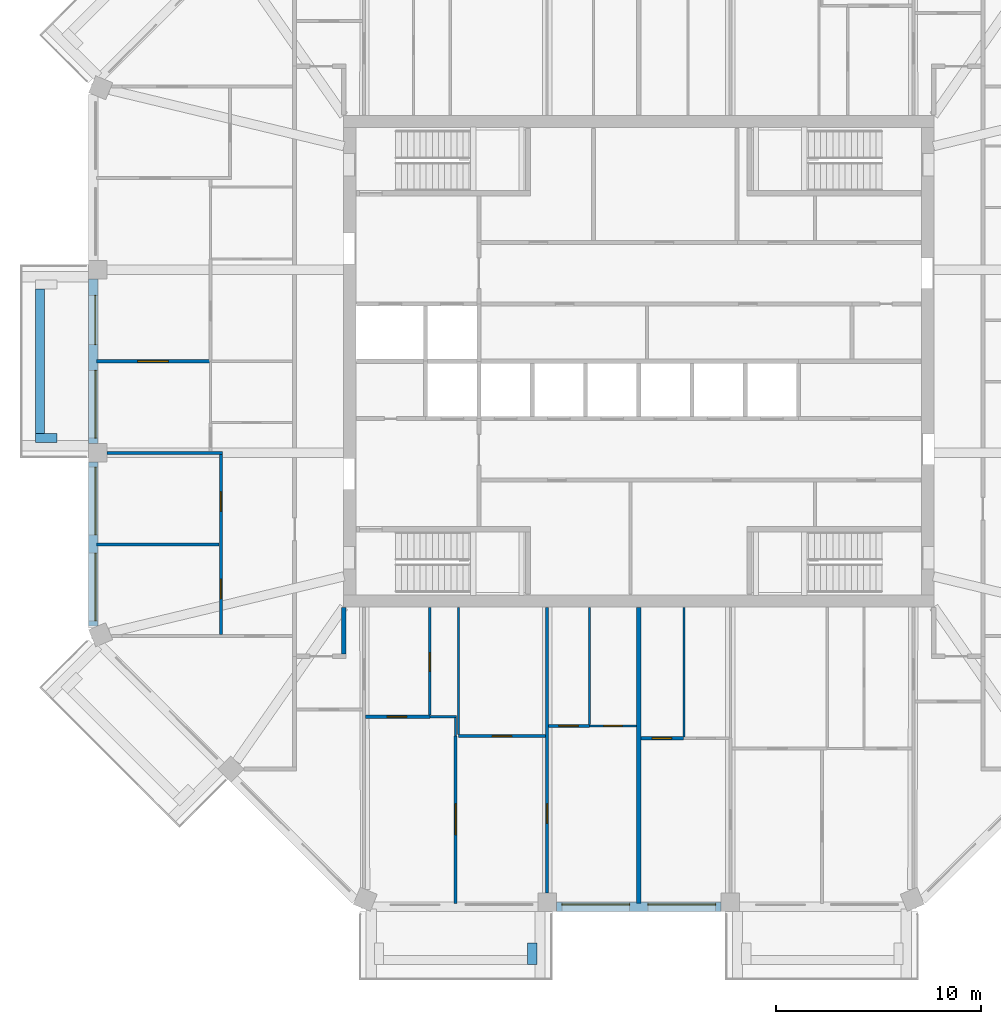
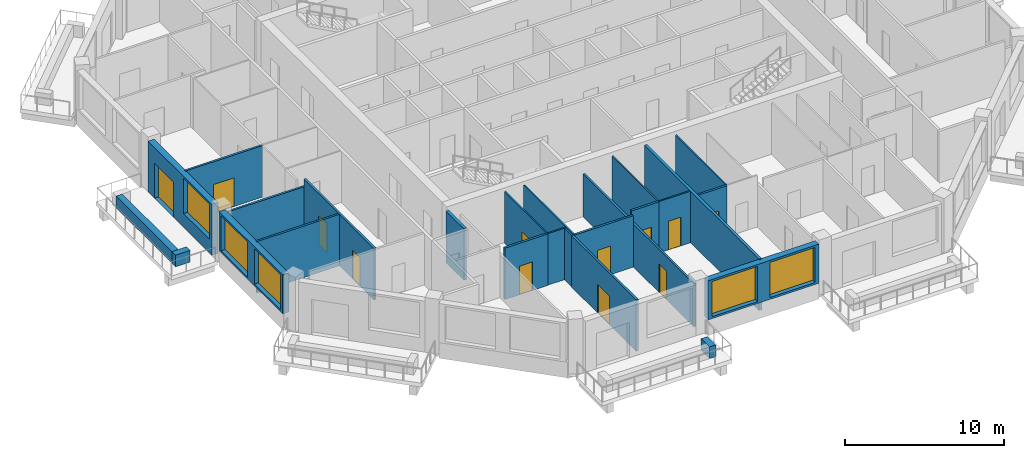
# One storey, part 3 of 13: 25 walls, 12 doors, 5 windows, 17 openings.
"""IFC4 building model written with IfcOpenShell, lengths in metres."""

from ifc_helpers import new_model, si_unit, direction, frame, frame_2d, origin, place, context, subcontext, project, spatial, rectangle, extrude, material, layer, layer_set, type_object, element, fill, save


model = new_model("IFC4")

# Units and contexts
model_context = context("Model", 3, precision=1e-05, world=origin(), true_north=direction((0.0, 1.0)))
body_context = subcontext(model_context, "Body", "Model", "MODEL_VIEW")
ifc_project = project(units=[si_unit("LENGTHUNIT", "METRE"), si_unit("AREAUNIT", "SQUARE_METRE"), si_unit("VOLUMEUNIT", "CUBIC_METRE"), si_unit("PLANEANGLEUNIT", "RADIAN"), si_unit("MASSUNIT", "GRAM", prefix="KILO")], contexts=[model_context])

# Site, building, storey
site_placement = place(None, origin())
site = spatial("IfcSite", under=ifc_project, at=site_placement, CompositionType="ELEMENT")
building_placement = place(site_placement, origin())
building = spatial("IfcBuilding", under=site, at=building_placement, Name="Msitu Wima Residences", CompositionType="ELEMENT")
storey_placement = place(building_placement, frame((0.0, 0.0, 289.5)))
storey = spatial("IfcBuildingStorey", under=building, at=storey_placement, Name="L67", CompositionType="ELEMENT", Elevation=289.5)

# Walls
ifc_material_1 = material(Name="Facing brick")
ifc_layer_1 = layer(ifc_material_1, 0.06494140625, Name="Facing brick")
ifc_material_2 = material(Name="Concrete C40/50", Category="concrete")
ifc_layer_2 = layer(ifc_material_2, 0.156005859375, Name="Concrete C40/50")
ifc_material_3 = material(Name="Waterproofing membrane")
ifc_layer_3 = layer(ifc_material_3, 0.00390625, Name="Waterproofing membrane")
ifc_material_4 = material(Name="Planting soil and planting")
ifc_layer_4 = layer(ifc_material_4, 0.22509765625, Name="Planting soil and planting")
ifc_layer_set_1 = layer_set([ifc_layer_1, ifc_layer_2, ifc_layer_3, ifc_layer_4], Name="Concrete C40/50")
wall_type_1 = type_object("IfcWallType", Name="Balcony planter PLANTER PL450", PredefinedType="USERDEFINED", material=ifc_layer_set_1)
wall_1_placement = place(storey_placement, frame((-29.22509765625, 3.5185546875, 0.0), z_axis=(0.0, 0.0, 1.0), x_axis=(0.0, -1.0, 0.0)))
element("IfcWall", 1, at=wall_1_placement, inside=storey, type_object=wall_type_1, Name="Balcony planter W1 L67", ObjectType="PLANTER", PredefinedType="USERDEFINED", context=body_context, shape_type="SweptSolid", body=[
    extrude(rectangle(XDim=7.037109375, YDim=0.449951171875, at=frame_2d((3.5185546875, 0.0))), origin(), (0.0, 0.0, 1.0), 0.89990234375),
])
for number, where, z_axis, x_axis, name in (
    (2, (-28.39990234375, -3.74365234375, 0.0), (0.0, 0.0, 1.0), (-1.0, 0.0, 0.0), "Balcony planter W1 L67"),
    (3, (-5.193603515625, -28.39990234375, 0.0), (0.0, 0.0, 1.0), (0.0, -1.0, 0.0), "Balcony planter S0 L67"),
):
    element("IfcWall", number, at=place(storey_placement, frame(where, z_axis=z_axis, x_axis=x_axis)), inside=storey, type_object=wall_type_1, Name=name, ObjectType="PLANTER", PredefinedType="USERDEFINED", context=body_context, shape_type="SweptSolid", body=[
        extrude(rectangle(XDim=1.050048828125, YDim=0.449951171875, at=frame_2d((0.52490234375, 0.0))), origin(), (0.0, 0.0, 1.0), 0.89990234375),
    ])

# Wall, openings, door, window
ifc_material_5 = material(Name="Brick (red buff mix)", Category="masonry")
ifc_layer_5 = layer(ifc_material_5, 0.449951171875)
ifc_layer_set_2 = layer_set([ifc_layer_5], Name="Brick (red buff mix)")
wall_type_2 = type_object("IfcWallType", Name="Brick infill wall BW450", PredefinedType="SOLIDWALL", material=ifc_layer_set_2)
wall_2_placement = place(storey_placement, frame((-26.625, 4.0185546875, 0.0), z_axis=(0.0, 0.0, 1.0), x_axis=(0.0, -1.0, 0.0)))
wall_2 = element("IfcWall", 4, at=wall_2_placement, inside=storey, type_object=wall_type_2, Name="Brick infill wall L67 W1", PredefinedType="SOLIDWALL", context=body_context, shape_type="SweptSolid", body=[
    extrude(rectangle(XDim=8.037109375, YDim=0.449951171875, at=frame_2d((4.0185546875, 0.0))), origin(), (0.0, 0.0, 1.0), 3.89990234375),
])
opening_1_placement = place(wall_2_placement, frame((0.809326171875, 0.0, 0.0)))
opening_1 = element("IfcOpeningElement", 5, at=opening_1_placement, cuts=wall_2, Name="Opening D65-67.010", PredefinedType="OPENING", context=body_context, shape_type="SweptSolid", body=[
    extrude(rectangle(XDim=2.39990234375, YDim=2.699951171875, at=frame_2d((1.199951171875, 1.35009765625))), frame((0.0, 0.23486328125, 0.0), z_axis=(0.0, -1.0, 0.0), x_axis=(1.0, 0.0, 0.0)), (0.0, 0.0, 1.0), 0.469970703125),
])
opening_2_placement = place(wall_2_placement, frame((4.46875, 0.0, 1.050048828125)))
opening_2 = element("IfcOpeningElement", 6, at=opening_2_placement, cuts=wall_2, Name="Opening W65-67.028", PredefinedType="OPENING", context=body_context, shape_type="SweptSolid", body=[
    extrude(rectangle(XDim=3.300048828125, YDim=2.699951171875, at=frame_2d((1.64990234375, 1.35009765625))), frame((0.0, 0.23486328125, 0.0), z_axis=(0.0, -1.0, 0.0), x_axis=(1.0, 0.0, 0.0)), (0.0, 0.0, 1.0), 0.469970703125),
])
ifc_material_6 = material(Name="Anodised aluminium, bronze finish, clear low-emissivity double glazing", Category="aluminium")
door_type_1 = type_object("IfcDoorType", Name="Balcony door D2400x2700", OperationType="SLIDING_TO_LEFT", PredefinedType="DOOR", material=ifc_material_6)
door_1_placement = place(opening_1_placement, origin())
door_1 = element("IfcDoor", 7, at=door_1_placement, inside=storey, type_object=door_type_1, Name="Balcony door L67 W1", OperationType="SINGLE_SWING_LEFT", OverallHeight=2.699951171875, OverallWidth=2.39990234375, PredefinedType="DOOR", context=body_context, shape_type="SweptSolid", body=[
    extrude(rectangle(XDim=2.39990234375, YDim=2.699951171875, at=frame_2d((1.199951171875, 1.35009765625))), frame((0.0, 0.1298828125, 0.0), z_axis=(0.0, -1.0, 0.0), x_axis=(1.0, 0.0, 0.0)), (0.0, 0.0, 1.0), 0.050048828125),
])
fill(opening_1, door_1)
window_type = type_object("IfcWindowType", Name="Window W3300x2700", PartitioningType="DOUBLE_PANEL_VERTICAL", PredefinedType="WINDOW", material=ifc_material_6)
window_1_placement = place(opening_2_placement, origin())
window_1 = element("IfcWindow", 8, at=window_1_placement, inside=storey, type_object=window_type, Name="Window L67 W1.2", OverallHeight=2.699951171875, OverallWidth=3.300048828125, PartitioningType="SINGLE_PANEL", PredefinedType="WINDOW", context=body_context, shape_type="SweptSolid", body=[
    extrude(rectangle(XDim=3.300048828125, YDim=2.699951171875, at=frame_2d((1.64990234375, 1.35009765625))), frame((0.0, 0.135009765625, 0.0), z_axis=(0.0, -1.0, 0.0), x_axis=(1.0, 0.0, 0.0)), (0.0, 0.0, 1.0), 0.06005859375),
])
fill(opening_2, window_1)

# Wall, openings, windows
wall_3_placement = place(storey_placement, frame((-26.625, -4.918701171875, 0.89990234375), z_axis=(0.0, 0.0, 1.0), x_axis=(0.0, -1.0, 0.0)))
wall_3 = element("IfcWall", 9, at=wall_3_placement, inside=storey, type_object=wall_type_2, Name="Brick infill wall L67 W2", PredefinedType="SOLIDWALL", context=body_context, shape_type="SweptSolid", body=[
    extrude(rectangle(XDim=8.0, YDim=0.449951171875, at=frame_2d((4.0, 0.0))), origin(), (0.0, 0.0, 1.0), 3.0),
])
opening_3_placement = place(wall_3_placement, frame((0.25, 0.0, 0.14990234375)))
opening_3 = element("IfcOpeningElement", 10, at=opening_3_placement, cuts=wall_3, Name="Opening W65-67.029", PredefinedType="OPENING", context=body_context, shape_type="SweptSolid", body=[
    extrude(rectangle(XDim=3.300048828125, YDim=2.699951171875, at=frame_2d((1.64990234375, 1.35009765625))), frame((0.0, 0.23486328125, 0.0), z_axis=(0.0, -1.0, 0.0), x_axis=(1.0, 0.0, 0.0)), (0.0, 0.0, 1.0), 0.469970703125),
])
opening_4_placement = place(wall_3_placement, frame((4.4501953125, 0.0, 0.14990234375)))
opening_4 = element("IfcOpeningElement", 11, at=opening_4_placement, cuts=wall_3, Name="Opening W65-67.030", PredefinedType="OPENING", context=body_context, shape_type="SweptSolid", body=[
    extrude(rectangle(XDim=3.300048828125, YDim=2.699951171875, at=frame_2d((1.64990234375, 1.35009765625))), frame((0.0, 0.23486328125, 0.0), z_axis=(0.0, -1.0, 0.0), x_axis=(1.0, 0.0, 0.0)), (0.0, 0.0, 1.0), 0.469970703125),
])
window_2_placement = place(opening_3_placement, origin())
window_2 = element("IfcWindow", 12, at=window_2_placement, inside=storey, type_object=window_type, Name="Window L67 W2.1", OverallHeight=2.699951171875, OverallWidth=3.300048828125, PartitioningType="SINGLE_PANEL", PredefinedType="WINDOW", context=body_context, shape_type="SweptSolid", body=[
    extrude(rectangle(XDim=3.300048828125, YDim=2.699951171875, at=frame_2d((1.64990234375, 1.35009765625))), frame((0.0, 0.135009765625, 0.0), z_axis=(0.0, -1.0, 0.0), x_axis=(1.0, 0.0, 0.0)), (0.0, 0.0, 1.0), 0.06005859375),
])
fill(opening_3, window_2)
window_3_placement = place(opening_4_placement, origin())
window_3 = element("IfcWindow", 13, at=window_3_placement, inside=storey, type_object=window_type, Name="Window L67 W2.2", OverallHeight=2.699951171875, OverallWidth=3.300048828125, PartitioningType="SINGLE_PANEL", PredefinedType="WINDOW", context=body_context, shape_type="SweptSolid", body=[
    extrude(rectangle(XDim=3.300048828125, YDim=2.699951171875, at=frame_2d((1.64990234375, 1.35009765625))), frame((0.0, 0.135009765625, 0.0), z_axis=(0.0, -1.0, 0.0), x_axis=(1.0, 0.0, 0.0)), (0.0, 0.0, 1.0), 0.06005859375),
])
fill(opening_4, window_3)

wall_4_placement = place(storey_placement, frame((-4.0185546875, -26.625, 0.89990234375), z_axis=(0.0, 0.0, 1.0), x_axis=(1.0, 0.0, 0.0)))
wall_4 = element("IfcWall", 14, at=wall_4_placement, inside=storey, type_object=wall_type_2, Name="Brick infill wall L67 S1", PredefinedType="SOLIDWALL", context=body_context, shape_type="SweptSolid", body=[
    extrude(rectangle(XDim=8.037109375, YDim=0.449951171875, at=frame_2d((4.0185546875, 0.0))), origin(), (0.0, 0.0, 1.0), 3.0),
])
opening_5_placement = place(wall_4_placement, frame((0.2685546875, 0.0, 0.14990234375)))
opening_5 = element("IfcOpeningElement", 15, at=opening_5_placement, cuts=wall_4, Name="Opening W65-67.017", PredefinedType="OPENING", context=body_context, shape_type="SweptSolid", body=[
    extrude(rectangle(XDim=3.300048828125, YDim=2.699951171875, at=frame_2d((1.64990234375, 1.35009765625))), frame((0.0, 0.23486328125, 0.0), z_axis=(0.0, -1.0, 0.0), x_axis=(1.0, 0.0, 0.0)), (0.0, 0.0, 1.0), 0.469970703125),
])
opening_6_placement = place(wall_4_placement, frame((4.46875, 0.0, 0.14990234375)))
opening_6 = element("IfcOpeningElement", 16, at=opening_6_placement, cuts=wall_4, Name="Opening W65-67.018", PredefinedType="OPENING", context=body_context, shape_type="SweptSolid", body=[
    extrude(rectangle(XDim=3.300048828125, YDim=2.699951171875, at=frame_2d((1.64990234375, 1.35009765625))), frame((0.0, 0.23486328125, 0.0), z_axis=(0.0, -1.0, 0.0), x_axis=(1.0, 0.0, 0.0)), (0.0, 0.0, 1.0), 0.469970703125),
])
window_4_placement = place(opening_5_placement, origin())
window_4 = element("IfcWindow", 17, at=window_4_placement, inside=storey, type_object=window_type, Name="Window L67 S1.1", OverallHeight=2.699951171875, OverallWidth=3.300048828125, PartitioningType="SINGLE_PANEL", PredefinedType="WINDOW", context=body_context, shape_type="SweptSolid", body=[
    extrude(rectangle(XDim=3.300048828125, YDim=2.699951171875, at=frame_2d((1.64990234375, 1.35009765625))), frame((0.0, 0.135009765625, 0.0), z_axis=(0.0, -1.0, 0.0), x_axis=(1.0, 0.0, 0.0)), (0.0, 0.0, 1.0), 0.06005859375),
])
fill(opening_5, window_4)
window_5_placement = place(opening_6_placement, origin())
window_5 = element("IfcWindow", 18, at=window_5_placement, inside=storey, type_object=window_type, Name="Window L67 S1.2", OverallHeight=2.699951171875, OverallWidth=3.300048828125, PartitioningType="SINGLE_PANEL", PredefinedType="WINDOW", context=body_context, shape_type="SweptSolid", body=[
    extrude(rectangle(XDim=3.300048828125, YDim=2.699951171875, at=frame_2d((1.64990234375, 1.35009765625))), frame((0.0, 0.135009765625, 0.0), z_axis=(0.0, -1.0, 0.0), x_axis=(1.0, 0.0, 0.0)), (0.0, 0.0, 1.0), 0.06005859375),
])
fill(opening_6, window_5)

# Walls
ifc_material_7 = material(Name="Plaster")
ifc_layer_6 = layer(ifc_material_7, 0.011962890625, Name="Plaster")
ifc_material_8 = material(Name="Concrete blockwork", Category="masonry")
ifc_layer_7 = layer(ifc_material_8, 0.176025390625, Name="Concrete blockwork")
ifc_layer_8 = layer(ifc_material_7, 0.011962890625, Name="Plaster")
ifc_layer_set_3 = layer_set([ifc_layer_6, ifc_layer_7, ifc_layer_8], Name="Concrete blockwork")
wall_type_3 = type_object("IfcWallType", Name="Corridor wall FW200", PredefinedType="PARTITIONING", material=ifc_layer_set_3)
wall_5_placement = place(storey_placement, frame((-14.39990234375, -14.300048828125, 0.0), z_axis=(0.0, 0.0, 1.0), x_axis=(0.0, 1.0, 0.0)))
element("IfcWall", 19, at=wall_5_placement, inside=storey, type_object=wall_type_3, Name="Corridor wall", PredefinedType="PARTITIONING", context=body_context, shape_type="SweptSolid", body=[
    extrude(rectangle(XDim=2.27001953125, YDim=0.199951171875, at=frame_2d((1.135009765625, 0.0))), origin(), (0.0, 0.0, 1.0), 3.949951171875),
])
ifc_layer_9 = layer(ifc_material_7, 0.011962890625, Name="Plaster")
ifc_layer_10 = layer(ifc_material_8, 0.1259765625, Name="Concrete blockwork")
ifc_layer_11 = layer(ifc_material_7, 0.011962890625, Name="Plaster")
ifc_layer_set_4 = layer_set([ifc_layer_9, ifc_layer_10, ifc_layer_11], Name="Concrete blockwork")
wall_type_4 = type_object("IfcWallType", Name="Partition PW150", PredefinedType="PARTITIONING", material=ifc_layer_set_4)
wall_6_placement = place(storey_placement, frame((-26.455078125, -8.937255859375, 0.0), z_axis=(0.0, 0.0, 1.0), x_axis=(1.0, 0.0, 0.0)))
element("IfcWall", 20, at=wall_6_placement, inside=storey, type_object=wall_type_4, Name="Partition", PredefinedType="PARTITIONING", context=body_context, shape_type="SweptSolid", body=[
    extrude(rectangle(XDim=5.97998046875, YDim=0.14990234375, at=frame_2d((2.989990234375, 0.0))), origin(), (0.0, 0.0, 1.0), 3.949951171875),
])
wall_7_placement = place(storey_placement, frame((-25.949951171875, -4.46875, 0.0), z_axis=(0.0, 0.0, 1.0), x_axis=(1.0, 0.0, 0.0)))
element("IfcWall", 21, at=wall_7_placement, inside=storey, type_object=wall_type_4, Name="Partition", PredefinedType="PARTITIONING", context=body_context, shape_type="SweptSolid", body=[
    extrude(rectangle(XDim=5.625, YDim=0.14990234375, at=frame_2d((2.8125, 0.0))), origin(), (0.0, 0.0, 1.0), 3.35009765625),
])

# Wall, opening, door
wall_8_placement = place(storey_placement, frame((-26.455078125, 0.0, 0.0), z_axis=(0.0, 0.0, 1.0), x_axis=(1.0, 0.0, 0.0)))
wall_8 = element("IfcWall", 22, at=wall_8_placement, inside=storey, type_object=wall_type_4, Name="Partition", PredefinedType="PARTITIONING", context=body_context, shape_type="SweptSolid", body=[
    extrude(rectangle(XDim=5.5751953125, YDim=0.14990234375, at=frame_2d((2.78759765625, 0.0))), origin(), (0.0, 0.0, 1.0), 3.949951171875),
])
opening_7_placement = place(wall_8_placement, frame((2.0, 0.0, 0.0)))
opening_7 = element("IfcOpeningElement", 23, at=opening_7_placement, cuts=wall_8, Name="Opening D65-67.050", PredefinedType="OPENING", context=body_context, shape_type="SweptSolid", body=[
    extrude(rectangle(XDim=1.5, YDim=2.199951171875, at=frame_2d((0.75, 1.10009765625))), frame((0.0, 0.0849609375, 0.0), z_axis=(0.0, -1.0, 0.0), x_axis=(1.0, 0.0, 0.0)), (0.0, 0.0, 1.0), 0.169921875),
])
ifc_material_9 = material(Name="Timber double door", Category="wood")
door_type_2 = type_object("IfcDoorType", Name="Double door D04 1500x2200", OperationType="DOUBLE_DOOR_SINGLE_SWING", PredefinedType="DOOR", material=ifc_material_9)
door_2_placement = place(opening_7_placement, origin())
door_2 = element("IfcDoor", 24, at=door_2_placement, inside=storey, type_object=door_type_2, Name="Double door", OperationType="DOUBLE_DOOR_SINGLE_SWING", OverallHeight=2.199951171875, OverallWidth=1.5, PredefinedType="DOOR", context=body_context, shape_type="SweptSolid", body=[
    extrude(rectangle(XDim=1.5, YDim=2.199951171875, at=frame_2d((0.75, 1.10009765625))), frame((0.0, 0.02490234375, 0.0), z_axis=(0.0, -1.0, 0.0), x_axis=(1.0, 0.0, 0.0)), (0.0, 0.0, 1.0), 0.050048828125),
])
fill(opening_7, door_2)

# Wall, openings, doors
wall_9_placement = place(storey_placement, frame((-20.39990234375, -13.330810546875, 0.0), z_axis=(0.0, 0.0, 1.0), x_axis=(0.0, 1.0, 0.0)))
wall_9 = element("IfcWall", 25, at=wall_9_placement, inside=storey, type_object=wall_type_4, Name="Partition", PredefinedType="PARTITIONING", context=body_context, shape_type="SweptSolid", body=[
    extrude(rectangle(XDim=8.787109375, YDim=0.14990234375, at=frame_2d((4.3935546875, 0.0))), origin(), (0.0, 0.0, 1.0), 3.949951171875),
])
opening_8_placement = place(wall_9_placement, frame((1.75, 0.0, 0.0)))
opening_8 = element("IfcOpeningElement", 26, at=opening_8_placement, cuts=wall_9, Name="Opening D65-67.047", PredefinedType="OPENING", context=body_context, shape_type="SweptSolid", body=[
    extrude(rectangle(XDim=0.949951171875, YDim=2.199951171875, at=frame_2d((0.47509765625, 1.10009765625))), frame((0.0, 0.0849609375, 0.0), z_axis=(0.0, -1.0, 0.0), x_axis=(1.0, 0.0, 0.0)), (0.0, 0.0, 1.0), 0.169921875),
])
opening_9_placement = place(wall_9_placement, frame((6.0, 0.0, 0.0)))
opening_9 = element("IfcOpeningElement", 27, at=opening_9_placement, cuts=wall_9, Name="Opening D65-67.048", PredefinedType="OPENING", context=body_context, shape_type="SweptSolid", body=[
    extrude(rectangle(XDim=0.949951171875, YDim=2.199951171875, at=frame_2d((0.47509765625, 1.10009765625))), frame((0.0, 0.0849609375, 0.0), z_axis=(0.0, -1.0, 0.0), x_axis=(1.0, 0.0, 0.0)), (0.0, 0.0, 1.0), 0.169921875),
])
ifc_material_10 = material(Name="Timber flush door", Category="wood")
door_type_3 = type_object("IfcDoorType", Name="Room door D12 950x2200", OperationType="SINGLE_SWING_LEFT", PredefinedType="DOOR", material=ifc_material_10)
door_3_placement = place(opening_8_placement, origin())
door_3 = element("IfcDoor", 28, at=door_3_placement, inside=storey, type_object=door_type_3, Name="Room door", OperationType="SINGLE_SWING_RIGHT", OverallHeight=2.199951171875, OverallWidth=0.949951171875, PredefinedType="DOOR", context=body_context, shape_type="SweptSolid", body=[
    extrude(rectangle(XDim=0.949951171875, YDim=2.199951171875, at=frame_2d((0.47509765625, 1.10009765625))), frame((0.0, 0.02490234375, 0.0), z_axis=(0.0, -1.0, 0.0), x_axis=(1.0, 0.0, 0.0)), (0.0, 0.0, 1.0), 0.050048828125),
])
fill(opening_8, door_3)
door_4_placement = place(opening_9_placement, origin())
door_4 = element("IfcDoor", 29, at=door_4_placement, inside=storey, type_object=door_type_3, Name="Room door", OperationType="SINGLE_SWING_LEFT", OverallHeight=2.199951171875, OverallWidth=0.949951171875, PredefinedType="DOOR", context=body_context, shape_type="SweptSolid", body=[
    extrude(rectangle(XDim=0.949951171875, YDim=2.199951171875, at=frame_2d((0.47509765625, 1.10009765625))), frame((0.0, 0.02490234375, 0.0), z_axis=(0.0, -1.0, 0.0), x_axis=(1.0, 0.0, 0.0)), (0.0, 0.0, 1.0), 0.050048828125),
])
fill(opening_9, door_4)

# Wall, opening, door
wall_10_placement = place(storey_placement, frame((-13.330810546875, -17.35009765625, 0.0), z_axis=(0.0, 0.0, 1.0), x_axis=(1.0, 0.0, 0.0)))
wall_10 = element("IfcWall", 30, at=wall_10_placement, inside=storey, type_object=wall_type_4, Name="Partition", PredefinedType="PARTITIONING", context=body_context, shape_type="SweptSolid", body=[
    extrude(rectangle(XDim=3.130859375, YDim=0.14990234375, at=frame_2d((1.5654296875, 0.0))), origin(), (0.0, 0.0, 1.0), 3.949951171875),
])
opening_10_placement = place(wall_10_placement, frame((1.050048828125, 0.0, 0.0)))
opening_10 = element("IfcOpeningElement", 31, at=opening_10_placement, cuts=wall_10, Name="Opening D65-67.056", PredefinedType="OPENING", context=body_context, shape_type="SweptSolid", body=[
    extrude(rectangle(XDim=0.949951171875, YDim=2.199951171875, at=frame_2d((0.47509765625, 1.10009765625))), frame((0.0, 0.0849609375, 0.0), z_axis=(0.0, -1.0, 0.0), x_axis=(1.0, 0.0, 0.0)), (0.0, 0.0, 1.0), 0.169921875),
])
door_5_placement = place(opening_10_placement, origin())
door_5 = element("IfcDoor", 32, at=door_5_placement, inside=storey, type_object=door_type_3, Name="Room door", OperationType="SINGLE_SWING_RIGHT", OverallHeight=2.199951171875, OverallWidth=0.949951171875, PredefinedType="DOOR", context=body_context, shape_type="SweptSolid", body=[
    extrude(rectangle(XDim=0.949951171875, YDim=2.199951171875, at=frame_2d((0.47509765625, 1.10009765625))), frame((0.0, 0.02490234375, 0.0), z_axis=(0.0, -1.0, 0.0), x_axis=(1.0, 0.0, 0.0)), (0.0, 0.0, 1.0), 0.050048828125),
])
fill(opening_10, door_5)

wall_11_placement = place(storey_placement, frame((-8.937255859375, -26.455078125, 0.0), z_axis=(0.0, 0.0, 1.0), x_axis=(0.0, 1.0, 0.0)))
wall_11 = element("IfcWall", 33, at=wall_11_placement, inside=storey, type_object=wall_type_4, Name="Partition", PredefinedType="PARTITIONING", context=body_context, shape_type="SweptSolid", body=[
    extrude(rectangle(XDim=8.155029296875, YDim=0.14990234375, at=frame_2d((4.07763671875, 0.0))), origin(), (0.0, 0.0, 1.0), 3.949951171875),
])
opening_11_placement = place(wall_11_placement, frame((3.35009765625, 0.0, 0.0)))
opening_11 = element("IfcOpeningElement", 34, at=opening_11_placement, cuts=wall_11, Name="Opening D65-67.059", PredefinedType="OPENING", context=body_context, shape_type="SweptSolid", body=[
    extrude(rectangle(XDim=1.5, YDim=2.199951171875, at=frame_2d((0.75, 1.10009765625))), frame((0.0, 0.0849609375, 0.0), z_axis=(0.0, -1.0, 0.0), x_axis=(1.0, 0.0, 0.0)), (0.0, 0.0, 1.0), 0.169921875),
])
door_6_placement = place(opening_11_placement, origin())
door_6 = element("IfcDoor", 35, at=door_6_placement, inside=storey, type_object=door_type_2, Name="Double door", OperationType="DOUBLE_DOOR_SINGLE_SWING", OverallHeight=2.199951171875, OverallWidth=1.5, PredefinedType="DOOR", context=body_context, shape_type="SweptSolid", body=[
    extrude(rectangle(XDim=1.5, YDim=2.199951171875, at=frame_2d((0.75, 1.10009765625))), frame((0.0, 0.02490234375, 0.0), z_axis=(0.0, -1.0, 0.0), x_axis=(1.0, 0.0, 0.0)), (0.0, 0.0, 1.0), 0.050048828125),
])
fill(opening_11, door_6)

wall_12_placement = place(storey_placement, frame((-8.800048828125, -18.300048828125, 0.0), z_axis=(0.0, 0.0, 1.0), x_axis=(1.0, 0.0, 0.0)))
wall_12 = element("IfcWall", 36, at=wall_12_placement, inside=storey, type_object=wall_type_4, Name="Partition", PredefinedType="PARTITIONING", context=body_context, shape_type="SweptSolid", body=[
    extrude(rectangle(XDim=4.25634765625, YDim=0.14990234375, at=frame_2d((2.128173828125, 0.0))), origin(), (0.0, 0.0, 1.0), 3.949951171875),
])
opening_12_placement = place(wall_12_placement, frame((1.64990234375, 0.0, 0.0)))
opening_12 = element("IfcOpeningElement", 37, at=opening_12_placement, cuts=wall_12, Name="Opening D65-67.060", PredefinedType="OPENING", context=body_context, shape_type="SweptSolid", body=[
    extrude(rectangle(XDim=0.949951171875, YDim=2.199951171875, at=frame_2d((0.47509765625, 1.10009765625))), frame((0.0, 0.0849609375, 0.0), z_axis=(0.0, -1.0, 0.0), x_axis=(1.0, 0.0, 0.0)), (0.0, 0.0, 1.0), 0.169921875),
])
door_7_placement = place(opening_12_placement, origin())
door_7 = element("IfcDoor", 38, at=door_7_placement, inside=storey, type_object=door_type_3, Name="Room door", OperationType="SINGLE_SWING_LEFT", OverallHeight=2.199951171875, OverallWidth=0.949951171875, PredefinedType="DOOR", context=body_context, shape_type="SweptSolid", body=[
    extrude(rectangle(XDim=0.949951171875, YDim=2.199951171875, at=frame_2d((0.47509765625, 1.10009765625))), frame((0.0, 0.02490234375, 0.0), z_axis=(0.0, -1.0, 0.0), x_axis=(1.0, 0.0, 0.0)), (0.0, 0.0, 1.0), 0.050048828125),
])
fill(opening_12, door_7)

wall_13_placement = place(storey_placement, frame((-4.46875, -25.949951171875, 0.0), z_axis=(0.0, 0.0, 1.0), x_axis=(0.0, 1.0, 0.0)))
wall_13 = element("IfcWall", 39, at=wall_13_placement, inside=storey, type_object=wall_type_4, Name="Partition", PredefinedType="PARTITIONING", context=body_context, shape_type="SweptSolid", body=[
    extrude(rectangle(XDim=13.919921875, YDim=0.14990234375, at=frame_2d((6.9599609375, 0.0))), origin(), (0.0, 0.0, 1.0), 3.300048828125),
])
opening_13_placement = place(wall_13_placement, frame((3.39990234375, 0.0, 0.0)))
opening_13 = element("IfcOpeningElement", 40, at=opening_13_placement, cuts=wall_13, Name="Opening D65-67.061", PredefinedType="OPENING", context=body_context, shape_type="SweptSolid", body=[
    extrude(rectangle(XDim=0.949951171875, YDim=2.199951171875, at=frame_2d((0.47509765625, 1.10009765625))), frame((0.0, 0.0849609375, 0.0), z_axis=(0.0, -1.0, 0.0), x_axis=(1.0, 0.0, 0.0)), (0.0, 0.0, 1.0), 0.169921875),
])
door_8_placement = place(opening_13_placement, origin())
door_8 = element("IfcDoor", 41, at=door_8_placement, inside=storey, type_object=door_type_3, Name="Room door", OperationType="SINGLE_SWING_RIGHT", OverallHeight=2.199951171875, OverallWidth=0.949951171875, PredefinedType="DOOR", context=body_context, shape_type="SweptSolid", body=[
    extrude(rectangle(XDim=0.949951171875, YDim=2.199951171875, at=frame_2d((0.47509765625, 1.10009765625))), frame((0.0, 0.02490234375, 0.0), z_axis=(0.0, -1.0, 0.0), x_axis=(1.0, 0.0, 0.0)), (0.0, 0.0, 1.0), 0.050048828125),
])
fill(opening_13, door_8)

wall_14_placement = place(storey_placement, frame((-4.3935546875, -17.800048828125, 0.0), z_axis=(0.0, 0.0, 1.0), x_axis=(1.0, 0.0, 0.0)))
wall_14 = element("IfcWall", 42, at=wall_14_placement, inside=storey, type_object=wall_type_4, Name="Partition", PredefinedType="PARTITIONING", context=body_context, shape_type="SweptSolid", body=[
    extrude(rectangle(XDim=1.99365234375, YDim=0.14990234375, at=frame_2d((0.996826171875, 0.0))), origin(), (0.0, 0.0, 1.0), 3.949951171875),
])
opening_14_placement = place(wall_14_placement, frame((0.5, 0.0, 0.0)))
opening_14 = element("IfcOpeningElement", 43, at=opening_14_placement, cuts=wall_14, Name="Opening D65-67.063", PredefinedType="OPENING", context=body_context, shape_type="SweptSolid", body=[
    extrude(rectangle(XDim=0.949951171875, YDim=2.199951171875, at=frame_2d((0.47509765625, 1.10009765625))), frame((0.0, 0.0849609375, 0.0), z_axis=(0.0, -1.0, 0.0), x_axis=(1.0, 0.0, 0.0)), (0.0, 0.0, 1.0), 0.169921875),
])
door_9_placement = place(opening_14_placement, origin())
door_9 = element("IfcDoor", 44, at=door_9_placement, inside=storey, type_object=door_type_3, Name="Room door", OperationType="SINGLE_SWING_RIGHT", OverallHeight=2.199951171875, OverallWidth=0.949951171875, PredefinedType="DOOR", context=body_context, shape_type="SweptSolid", body=[
    extrude(rectangle(XDim=0.949951171875, YDim=2.199951171875, at=frame_2d((0.47509765625, 1.10009765625))), frame((0.0, 0.02490234375, 0.0), z_axis=(0.0, -1.0, 0.0), x_axis=(1.0, 0.0, 0.0)), (0.0, 0.0, 1.0), 0.050048828125),
])
fill(opening_14, door_9)

wall_15_placement = place(storey_placement, frame((0.10009765625, -18.39990234375, 0.0), z_axis=(0.0, 0.0, 1.0), x_axis=(1.0, 0.0, 0.0)))
wall_15 = element("IfcWall", 45, at=wall_15_placement, inside=storey, type_object=wall_type_4, Name="Partition", PredefinedType="PARTITIONING", context=body_context, shape_type="SweptSolid", body=[
    extrude(rectangle(XDim=2.079833984375, YDim=0.14990234375, at=frame_2d((1.0400390625, 0.0))), origin(), (0.0, 0.0, 1.0), 3.949951171875),
])
opening_15_placement = place(wall_15_placement, frame((0.550048828125, 0.0, 0.0)))
opening_15 = element("IfcOpeningElement", 46, at=opening_15_placement, cuts=wall_15, Name="Opening D65-67.072", PredefinedType="OPENING", context=body_context, shape_type="SweptSolid", body=[
    extrude(rectangle(XDim=0.949951171875, YDim=2.199951171875, at=frame_2d((0.47509765625, 1.10009765625))), frame((0.0, 0.0849609375, 0.0), z_axis=(0.0, -1.0, 0.0), x_axis=(1.0, 0.0, 0.0)), (0.0, 0.0, 1.0), 0.169921875),
])
door_10_placement = place(opening_15_placement, origin())
door_10 = element("IfcDoor", 47, at=door_10_placement, inside=storey, type_object=door_type_3, Name="Room door", OperationType="SINGLE_SWING_RIGHT", OverallHeight=2.199951171875, OverallWidth=0.949951171875, PredefinedType="DOOR", context=body_context, shape_type="SweptSolid", body=[
    extrude(rectangle(XDim=0.949951171875, YDim=2.199951171875, at=frame_2d((0.47509765625, 1.10009765625))), frame((0.0, 0.02490234375, 0.0), z_axis=(0.0, -1.0, 0.0), x_axis=(1.0, 0.0, 0.0)), (0.0, 0.0, 1.0), 0.050048828125),
])
fill(opening_15, door_10)

# Wall
ifc_layer_12 = layer(ifc_material_7, 0.011962890625, Name="Plaster")
ifc_material_11 = material(Name="Dense concrete blockwork", Category="masonry")
ifc_layer_13 = layer(ifc_material_11, 0.176025390625, Name="Dense concrete blockwork")
ifc_layer_14 = layer(ifc_material_7, 0.011962890625, Name="Plaster")
ifc_layer_set_5 = layer_set([ifc_layer_12, ifc_layer_13, ifc_layer_14], Name="Dense concrete blockwork")
wall_type_5 = type_object("IfcWallType", Name="Party wall PW200", PredefinedType="PARTITIONING", material=ifc_layer_set_5)
wall_16_placement = place(storey_placement, frame((0.0, -26.455078125, 0.0), z_axis=(0.0, 0.0, 1.0), x_axis=(0.0, 1.0, 0.0)))
element("IfcWall", 48, at=wall_16_placement, inside=storey, type_object=wall_type_5, Name="Party wall", PredefinedType="PARTITIONING", context=body_context, shape_type="SweptSolid", body=[
    extrude(rectangle(XDim=14.425048828125, YDim=0.199951171875, at=frame_2d((7.21240234375, 0.0))), origin(), (0.0, 0.0, 1.0), 3.949951171875),
])

# Wall, opening, door
ifc_material_12 = material(Name="Ceramic tiles")
ifc_layer_15 = layer(ifc_material_12, 0.008056640625, Name="Ceramic tiles")
ifc_material_13 = material(Name="Moisture-resistant board")
ifc_layer_16 = layer(ifc_material_13, 0.012451171875, Name="Moisture-resistant board")
ifc_material_14 = material(Name="Light-gauge stud framing with mineral wool")
ifc_layer_17 = layer(ifc_material_14, 0.06689453125, Name="Light-gauge stud framing with mineral wool")
ifc_layer_18 = layer(ifc_material_13, 0.012451171875, Name="Moisture-resistant board")
ifc_layer_set_6 = layer_set([ifc_layer_15, ifc_layer_16, ifc_layer_17, ifc_layer_18], Name="Light-gauge stud framing with mineral wool")
wall_type_6 = type_object("IfcWallType", Name="Wet wall PW100", PredefinedType="PARTITIONING", material=ifc_layer_set_6)
wall_17_placement = place(storey_placement, frame((-10.199951171875, -17.27490234375, 0.0), z_axis=(0.0, 0.0, 1.0), x_axis=(0.0, 1.0, 0.0)))
wall_17 = element("IfcWall", 49, at=wall_17_placement, inside=storey, type_object=wall_type_6, Name="Wet wall", PredefinedType="PARTITIONING", context=body_context, shape_type="SweptSolid", body=[
    extrude(rectangle(XDim=5.244873046875, YDim=0.10009765625, at=frame_2d((2.62255859375, 0.0))), origin(), (0.0, 0.0, 1.0), 3.949951171875),
])
opening_16_placement = place(wall_17_placement, frame((2.14990234375, 0.0, 0.0)))
opening_16 = element("IfcOpeningElement", 50, at=opening_16_placement, cuts=wall_17, Name="Opening D65-67.058", PredefinedType="OPENING", context=body_context, shape_type="SweptSolid", body=[
    extrude(rectangle(XDim=0.89990234375, YDim=2.199951171875, at=frame_2d((0.449951171875, 1.10009765625))), frame((0.0, 0.06005859375, 0.0), z_axis=(0.0, -1.0, 0.0), x_axis=(1.0, 0.0, 0.0)), (0.0, 0.0, 1.0), 0.1201171875),
])
ifc_material_15 = material(Name="Timber flush door, moisture resistant", Category="wood")
door_type_4 = type_object("IfcDoorType", Name="Bathroom door D03 900x2200", OperationType="SINGLE_SWING_LEFT", PredefinedType="DOOR", material=ifc_material_15)
door_11_placement = place(opening_16_placement, origin())
door_11 = element("IfcDoor", 51, at=door_11_placement, inside=storey, type_object=door_type_4, Name="Bathroom door", OperationType="SINGLE_SWING_RIGHT", OverallHeight=2.199951171875, OverallWidth=0.89990234375, PredefinedType="DOOR", context=body_context, shape_type="SweptSolid", body=[
    extrude(rectangle(XDim=0.89990234375, YDim=2.199951171875, at=frame_2d((0.449951171875, 1.10009765625))), frame((0.0, 0.02490234375, 0.0), z_axis=(0.0, -1.0, 0.0), x_axis=(1.0, 0.0, 0.0)), (0.0, 0.0, 1.0), 0.050048828125),
])
fill(opening_16, door_11)

# Walls
wall_18_placement = place(storey_placement, frame((-10.199951171875, -17.35009765625, 0.0), z_axis=(0.0, 0.0, 1.0), x_axis=(1.0, 0.0, 0.0)))
element("IfcWall", 52, at=wall_18_placement, inside=storey, type_object=wall_type_6, Name="Wet wall", PredefinedType="PARTITIONING", context=body_context, shape_type="SweptSolid", body=[
    extrude(rectangle(XDim=1.312744140625, YDim=0.10009765625, at=frame_2d((0.65625, 0.0))), origin(), (0.0, 0.0, 1.0), 3.949951171875),
])
wall_19_placement = place(storey_placement, frame((-8.937255859375, -18.300048828125, 0.0), z_axis=(0.0, 0.0, 1.0), x_axis=(0.0, 1.0, 0.0)))
element("IfcWall", 53, at=wall_19_placement, inside=storey, type_object=wall_type_6, Name="Wet wall", PredefinedType="PARTITIONING", context=body_context, shape_type="SweptSolid", body=[
    extrude(rectangle(XDim=0.900146484375, YDim=0.10009765625, at=frame_2d((0.4501953125, 0.0))), origin(), (0.0, 0.0, 1.0), 3.949951171875),
])
wall_20_placement = place(storey_placement, frame((-8.800048828125, -18.22509765625, 0.0), z_axis=(0.0, 0.0, 1.0), x_axis=(0.0, 1.0, 0.0)))
element("IfcWall", 54, at=wall_20_placement, inside=storey, type_object=wall_type_6, Name="Wet wall", PredefinedType="PARTITIONING", context=body_context, shape_type="SweptSolid", body=[
    extrude(rectangle(XDim=6.195068359375, YDim=0.10009765625, at=frame_2d((3.09765625, 0.0))), origin(), (0.0, 0.0, 1.0), 3.949951171875),
])
wall_21_placement = place(storey_placement, frame((-2.39990234375, -17.72509765625, 0.0), z_axis=(0.0, 0.0, 1.0), x_axis=(0.0, 1.0, 0.0)))
element("IfcWall", 55, at=wall_21_placement, inside=storey, type_object=wall_type_6, Name="Wet wall", PredefinedType="PARTITIONING", context=body_context, shape_type="SweptSolid", body=[
    extrude(rectangle(XDim=5.695068359375, YDim=0.10009765625, at=frame_2d((2.84765625, 0.0))), origin(), (0.0, 0.0, 1.0), 3.949951171875),
])

# Wall, opening, door
wall_22_placement = place(storey_placement, frame((-2.39990234375, -17.800048828125, 0.0), z_axis=(0.0, 0.0, 1.0), x_axis=(1.0, 0.0, 0.0)))
wall_22 = element("IfcWall", 56, at=wall_22_placement, inside=storey, type_object=wall_type_6, Name="Wet wall", PredefinedType="PARTITIONING", context=body_context, shape_type="SweptSolid", body=[
    extrude(rectangle(XDim=2.2998046875, YDim=0.10009765625, at=frame_2d((1.14990234375, 0.0))), origin(), (0.0, 0.0, 1.0), 3.949951171875),
])
opening_17_placement = place(wall_22_placement, frame((0.699951171875, 0.0, 0.0)))
opening_17 = element("IfcOpeningElement", 57, at=opening_17_placement, cuts=wall_22, Name="Opening D65-67.062", PredefinedType="OPENING", context=body_context, shape_type="SweptSolid", body=[
    extrude(rectangle(XDim=0.89990234375, YDim=2.199951171875, at=frame_2d((0.449951171875, 1.10009765625))), frame((0.0, 0.06005859375, 0.0), z_axis=(0.0, -1.0, 0.0), x_axis=(1.0, 0.0, 0.0)), (0.0, 0.0, 1.0), 0.1201171875),
])
door_12_placement = place(opening_17_placement, origin())
door_12 = element("IfcDoor", 58, at=door_12_placement, inside=storey, type_object=door_type_4, Name="Bathroom door", OperationType="SINGLE_SWING_LEFT", OverallHeight=2.199951171875, OverallWidth=0.89990234375, PredefinedType="DOOR", context=body_context, shape_type="SweptSolid", body=[
    extrude(rectangle(XDim=0.89990234375, YDim=2.199951171875, at=frame_2d((0.449951171875, 1.10009765625))), frame((0.0, 0.02490234375, 0.0), z_axis=(0.0, -1.0, 0.0), x_axis=(1.0, 0.0, 0.0)), (0.0, 0.0, 1.0), 0.050048828125),
])
fill(opening_17, door_12)

# Wall
wall_23_placement = place(storey_placement, frame((2.199951171875, -18.35009765625, 0.0), z_axis=(0.0, 0.0, 1.0), x_axis=(0.0, 1.0, 0.0)))
element("IfcWall", 59, at=wall_23_placement, inside=storey, type_object=wall_type_6, Name="Wet wall", PredefinedType="PARTITIONING", context=body_context, shape_type="SweptSolid", body=[
    extrude(rectangle(XDim=6.320068359375, YDim=0.10009765625, at=frame_2d((3.16015625, 0.0))), origin(), (0.0, 0.0, 1.0), 3.949951171875),
])

save(model, "model.ifc")
